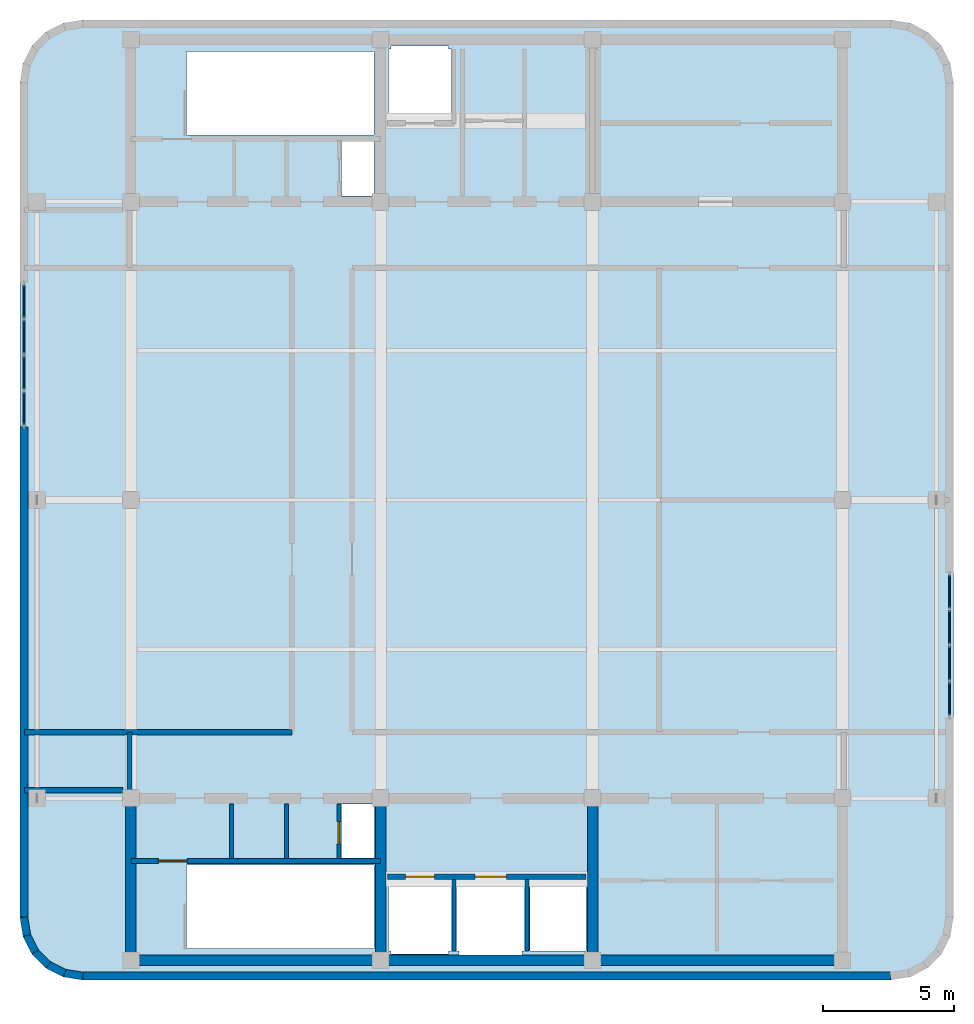
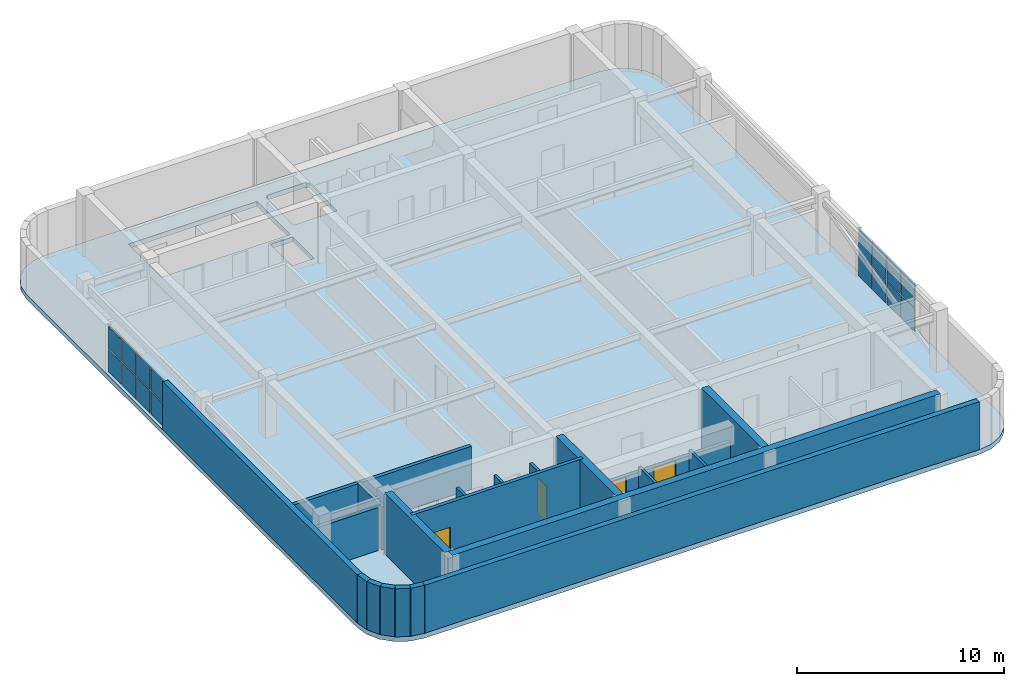
# One storey, part 4 of 9: 21 walls, 16 plates, 4 doors, 1 slab, 4 openings, 2 elements without a shape of their own.
"""IFC4 building model written with IfcOpenShell, lengths in metres."""

import ifcopenshell
import ifcopenshell.guid

model = None  # the IFC model being written
_history = None  # IfcOwnerHistory: only IFC2X3 demands one
_inside = {}  # id of a spatial element -> (the spatial element, [elements in it])
_under = {}  # id of a project, library or spatial element -> (it, [spatial elements below it])
_declared = {}  # id of a project -> (the project, [libraries it declares])
_typed = {}  # id of a type object -> (the type object, [elements of that type])
_made_of = {}  # id of a material, layer set ... -> (it, [elements and type objects made of it])


def new_model(schema):
    """Start an empty IFC model of exactly this schema.

    Asked for "IFC4X3", IfcOpenShell would pick the latest addendum, in which some entities
    have other attributes; the version numbers below select the first issue.
    IFC2X3 requires an IfcOwnerHistory on every rooted entity: one is made here for all.
    """
    global model, _history
    if schema == "IFC4X3":
        model = ifcopenshell.file(schema_version=(4, 3, 0, 0))
    else:
        model = ifcopenshell.file(schema=schema)
    _inside.clear()
    _under.clear()
    _declared.clear()
    _typed.clear()
    _made_of.clear()
    _history = None
    if model.schema == "IFC2X3":
        org = make("IfcOrganization", Name="unknown")
        user = make(
            "IfcPersonAndOrganization",
            ThePerson=make("IfcPerson", FamilyName="unknown"),
            TheOrganization=org,
        )
        app = make(
            "IfcApplication",
            ApplicationDeveloper=org,
            Version="unknown",
            ApplicationFullName="unknown",
            ApplicationIdentifier="unknown",
        )
        _history = make(
            "IfcOwnerHistory",
            OwningUser=user,
            OwningApplication=app,
            ChangeAction="ADDED",
            CreationDate=0,
        )
    return model


def make(cls, **values):
    """One entity of the class cls with the attributes given. An attribute that is None is left unset."""
    return model.create_entity(
        cls, **{name: value for name, value in values.items() if value is not None}
    )


def rooted(cls, **values):
    """An entity with a GlobalId (a new one), such as an element, a storey or a relation."""
    return make(cls, GlobalId=ifcopenshell.guid.new(), OwnerHistory=_history, **values)


def si_unit(unit_type, name, prefix=None):
    """IfcSIUnit, for example si_unit("LENGTHUNIT", "METRE", prefix="MILLI")."""
    return make("IfcSIUnit", UnitType=unit_type, Prefix=prefix, Name=name)


def assignment(units):
    """IfcUnitAssignment: the units of a project."""
    return None if units is None else make("IfcUnitAssignment", Units=units)


def point(xyz):
    """IfcCartesianPoint."""
    return None if xyz is None else make("IfcCartesianPoint", Coordinates=xyz)


def direction(xyz):
    """IfcDirection."""
    return None if xyz is None else make("IfcDirection", DirectionRatios=xyz)


def frame(location, z_axis=None, x_axis=None):
    """IfcAxis2Placement3D, a coordinate frame: its origin and axes. An axis left out is left unset."""
    return make(
        "IfcAxis2Placement3D",
        Location=point(location),
        Axis=direction(z_axis),
        RefDirection=direction(x_axis),
    )


def frame_2d(location, x_axis=None):
    """IfcAxis2Placement2D, a coordinate frame in the plane: its origin and x axis."""
    return make(
        "IfcAxis2Placement2D", Location=point(location), RefDirection=direction(x_axis)
    )


def origin():
    """The frame at (0, 0, 0) with its axes left unset."""
    return frame((0.0, 0.0, 0.0))


def origin_2d():
    """The frame at (0, 0) in the plane with its x axis left unset."""
    return frame_2d((0.0, 0.0))


def place(relative_to, where):
    """IfcLocalPlacement: puts the frame where relative to a parent placement (None: the world)."""
    return make(
        "IfcLocalPlacement", PlacementRelTo=relative_to, RelativePlacement=where
    )


def context(
    kind, dimensions, precision=None, world=None, true_north=None, identifier=None
):
    """IfcGeometricRepresentationContext, for example the 3D "Model" context."""
    return make(
        "IfcGeometricRepresentationContext",
        ContextIdentifier=identifier,
        ContextType=kind,
        CoordinateSpaceDimension=dimensions,
        Precision=precision,
        WorldCoordinateSystem=world,
        TrueNorth=true_north,
    )


def subcontext(parent, identifier, kind, view, scale=None):
    """IfcGeometricRepresentationSubContext, for example "Body" below "Model"."""
    return make(
        "IfcGeometricRepresentationSubContext",
        ContextIdentifier=identifier,
        ContextType=kind,
        ParentContext=parent,
        TargetScale=scale,
        TargetView=view,
    )


def project(units=None, contexts=None):
    """IfcProject with its units and contexts."""
    return rooted(
        "IfcProject",
        Name="project",
        RepresentationContexts=contexts,
        UnitsInContext=assignment(units),
    )


def spatial(cls, under=None, at=None, **own):
    """A site, building, storey or space (cls), placed at a placement, below another one or the project."""
    s = rooted(cls, ObjectPlacement=at, **own)
    if under is not None:
        _under.setdefault(under.id(), (under, []))[1].append(s)
    return s


def polyline(points):
    """IfcPolyline through the points."""
    return make("IfcPolyline", Points=[point(p) for p in points])


def profile(cls, at=None, kind="AREA", **sizes):
    """A parametric profile (cls). Its sizes go by their IFC names, for example OverallWidth=200.0."""
    return make(cls, ProfileType=kind, Position=at, **sizes)


def rectangle(**sizes):
    """IfcRectangleProfileDef."""
    return profile("IfcRectangleProfileDef", **sizes)


def outline(outer, holes=None, kind="AREA"):
    """IfcArbitraryClosedProfileDef: a profile drawn as a closed curve; with holes, ...WithVoids."""
    if holes is None:
        return make("IfcArbitraryClosedProfileDef", ProfileType=kind, OuterCurve=outer)
    return make(
        "IfcArbitraryProfileDefWithVoids",
        ProfileType=kind,
        OuterCurve=outer,
        InnerCurves=holes,
    )


def extrude(swept, where, along, depth):
    """IfcExtrudedAreaSolid: the profile swept, set in the frame where, extruded along a direction by depth."""
    return make(
        "IfcExtrudedAreaSolid",
        SweptArea=swept,
        Position=where,
        ExtrudedDirection=direction(along),
        Depth=depth,
    )


def shape(context_of_items, identifier, shape_type, items):
    """IfcShapeRepresentation: the items that make up one representation, for example the "Body"."""
    return make(
        "IfcShapeRepresentation",
        ContextOfItems=context_of_items,
        RepresentationIdentifier=identifier,
        RepresentationType=shape_type,
        Items=items,
    )


def material(Name=None, Category=None):
    """IfcMaterial."""
    return make("IfcMaterial", Name=Name, Category=Category)


def layer(
    of_material, thickness, ventilated=None, Name=None, Category=None, Priority=None
):
    """IfcMaterialLayer: one layer of a wall or slab, of a material (None: an air gap)."""
    return make(
        "IfcMaterialLayer",
        Material=of_material,
        LayerThickness=thickness,
        IsVentilated=ventilated,
        Name=Name,
        Category=Category,
        Priority=Priority,
    )


def layer_set(layers, Name=None):
    """IfcMaterialLayerSet."""
    return make("IfcMaterialLayerSet", MaterialLayers=layers, LayerSetName=Name)


def made_of(thing, what):
    """Note that an element or type object is made of a material, layer set ...; save() writes the relation."""
    if what is not None:
        _made_of.setdefault(what.id(), (what, []))[1].append(thing)
    return thing


def type_object(cls, material=None, **own):
    """A type object (cls), such as IfcWallType, which elements share."""
    return made_of(rooted(cls, **own), material)


def element(
    cls,
    number,
    at=None,
    inside=None,
    cuts=None,
    type_object=None,
    material=None,
    context=None,
    identifier="Body",
    shape_type=None,
    held_by="IfcProductDefinitionShape",
    body=None,
    shapes=None,
    **own,
):
    """One element of the class cls, such as IfcWall. Its Tag is "e" and its number.

    at: its placement. inside: the storey or other place that contains it. cuts: it is an
    opening in that element (IfcRelVoidsElement). A single representation is given by context,
    identifier, shape_type and body (its items); several are given by shapes. held_by: the class
    of the entity that holds the representations. save() writes the other relations.
    """
    e = rooted(cls, Tag="e%d" % number, ObjectPlacement=at, **own)
    if body is not None:
        shapes = [shape(context, identifier, shape_type, body)]
    if shapes is not None:
        e.Representation = make(held_by, Representations=shapes)
    if inside is not None:
        _inside.setdefault(inside.id(), (inside, []))[1].append(e)
    if cuts is not None:
        rooted(
            "IfcRelVoidsElement", RelatingBuildingElement=cuts, RelatedOpeningElement=e
        )
    if type_object is not None:
        _typed.setdefault(type_object.id(), (type_object, []))[1].append(e)
    return made_of(e, material)


def fill(opening, filler):
    """IfcRelFillsElement: the door or window that sits in an opening."""
    return rooted(
        "IfcRelFillsElement",
        RelatingOpeningElement=opening,
        RelatedBuildingElement=filler,
    )


def aggregate(whole, parts):
    """IfcRelAggregates: a whole, such as a stair, and the parts it consists of."""
    return rooted("IfcRelAggregates", RelatingObject=whole, RelatedObjects=parts)


def save(model, path):
    """Write the relations noted so far, then the file.

    IfcRelAggregates (storeys below a building ...), IfcRelContainedInSpatialStructure (elements
    in a storey), IfcRelDefinesByType, IfcRelAssociatesMaterial and IfcRelDeclares: one each for
    every whole, place, type object, material and project.
    """
    for whole, parts in _under.values():
        aggregate(whole, parts)
    for where, things in _inside.values():
        rooted(
            "IfcRelContainedInSpatialStructure",
            RelatedElements=things,
            RelatingStructure=where,
        )
    for kind, things in _typed.values():
        rooted("IfcRelDefinesByType", RelatedObjects=things, RelatingType=kind)
    for what, things in _made_of.values():
        rooted("IfcRelAssociatesMaterial", RelatedObjects=things, RelatingMaterial=what)
    for by, libraries in _declared.values():
        rooted("IfcRelDeclares", RelatingContext=by, RelatedDefinitions=libraries)
    model.write(path)


model = new_model("IFC4")

# Units and contexts
model_context = context("Model", 3, precision=1e-05, world=origin(), true_north=direction((0.0, 1.0)))
body_context = subcontext(model_context, "Body", "Model", "MODEL_VIEW")
ifc_project = project(units=[si_unit("LENGTHUNIT", "METRE"), si_unit("AREAUNIT", "SQUARE_METRE"), si_unit("VOLUMEUNIT", "CUBIC_METRE"), si_unit("PLANEANGLEUNIT", "RADIAN"), si_unit("MASSUNIT", "GRAM", prefix="KILO")], contexts=[model_context])

# Site, building, storey
site_placement = place(None, origin())
site = spatial("IfcSite", under=ifc_project, at=site_placement, CompositionType="ELEMENT")
building_placement = place(site_placement, origin())
building = spatial("IfcBuilding", under=site, at=building_placement, Name="Svetorya Sky Lyceum", CompositionType="ELEMENT")
storey_placement = place(building_placement, frame((0.0, 0.0, 320.0)))
storey = spatial("IfcBuildingStorey", under=building, at=storey_placement, Name="C06", CompositionType="ELEMENT", Elevation=320.0)

# Curtain wall, plates
ifc_material_1 = material(Name="Thermally broken anodized aluminium and triple low-E glass", Category="aluminium")
curtain_wall_type = type_object("IfcCurtainWallType", Name="CW5-LVR-PLT", PredefinedType="NOTDEFINED", material=ifc_material_1)
curtain_wall_1_placement = place(storey_placement, origin())
curtain_wall_1 = element("IfcCurtainWall", 1, at=curtain_wall_1_placement, inside=storey, type_object=curtain_wall_type, Name="C06 Acoustic Plant Louvre Curtain Wall 12", PredefinedType="NOTDEFINED")
ifc_material_2 = material(Name="Powder-coated extruded aluminium acoustic louvre blade", Category="aluminium")
ifc_layer_1 = layer(ifc_material_2, 0.06494140625)
ifc_layer_set_1 = layer_set([ifc_layer_1], Name="Powder-coated extruded aluminium acoustic louvre blade")
plate_type = type_object("IfcPlateType", Name="CWP-LVR-65", PredefinedType="SHEET", material=ifc_layer_set_1)
plate_1_placement = place(storey_placement, frame((56.889892578125, 20.603759765625, 0.0634765625), z_axis=(0.0, 0.0, 1.0), x_axis=(0.0, 1.0, 0.0)))
plate_1 = element("IfcPlate", 2, at=plate_1_placement, type_object=plate_type, Name="CW-5 panel 1.1", PredefinedType="SHEET", context=body_context, shape_type="SweptSolid", body=[
    extrude(rectangle(XDim=1.280517578125, YDim=0.06494140625, at=origin_2d()), origin(), (0.0, 0.0, 1.0), 1.320556640625),
])
plate_2_placement = place(storey_placement, frame((56.889892578125, 20.603759765625, 1.44580078125), z_axis=(0.0, 0.0, 1.0), x_axis=(0.0, 1.0, 0.0)))
plate_2 = element("IfcPlate", 3, at=plate_2_placement, type_object=plate_type, Name="CW-5 panel 1.2", PredefinedType="SHEET", context=body_context, shape_type="SweptSolid", body=[
    extrude(rectangle(XDim=1.280517578125, YDim=0.06494140625, at=origin_2d()), origin(), (0.0, 0.0, 1.0), 1.320556640625),
])
plate_3_placement = place(storey_placement, frame((56.889892578125, 21.96240234375, 0.0634765625), z_axis=(0.0, 0.0, 1.0), x_axis=(0.0, 1.0, 0.0)))
plate_3 = element("IfcPlate", 4, at=plate_3_placement, type_object=plate_type, Name="CW-5 panel 2.1", PredefinedType="SHEET", context=body_context, shape_type="SweptSolid", body=[
    extrude(rectangle(XDim=1.31298828125, YDim=0.06494140625, at=origin_2d()), origin(), (0.0, 0.0, 1.0), 1.320556640625),
])
plate_4_placement = place(storey_placement, frame((56.889892578125, 21.96240234375, 1.44580078125), z_axis=(0.0, 0.0, 1.0), x_axis=(0.0, 1.0, 0.0)))
plate_4 = element("IfcPlate", 5, at=plate_4_placement, type_object=plate_type, Name="CW-5 panel 2.2", PredefinedType="SHEET", context=body_context, shape_type="SweptSolid", body=[
    extrude(rectangle(XDim=1.31298828125, YDim=0.06494140625, at=origin_2d()), origin(), (0.0, 0.0, 1.0), 1.320556640625),
])
plate_5_placement = place(storey_placement, frame((56.889892578125, 23.33740234375, 0.0634765625), z_axis=(0.0, 0.0, 1.0), x_axis=(0.0, 1.0, 0.0)))
plate_5 = element("IfcPlate", 6, at=plate_5_placement, type_object=plate_type, Name="CW-5 panel 3.1", PredefinedType="SHEET", context=body_context, shape_type="SweptSolid", body=[
    extrude(rectangle(XDim=1.31298828125, YDim=0.06494140625, at=origin_2d()), origin(), (0.0, 0.0, 1.0), 1.320556640625),
])
plate_6_placement = place(storey_placement, frame((56.889892578125, 23.33740234375, 1.44580078125), z_axis=(0.0, 0.0, 1.0), x_axis=(0.0, 1.0, 0.0)))
plate_6 = element("IfcPlate", 7, at=plate_6_placement, type_object=plate_type, Name="CW-5 panel 3.2", PredefinedType="SHEET", context=body_context, shape_type="SweptSolid", body=[
    extrude(rectangle(XDim=1.31298828125, YDim=0.06494140625, at=origin_2d()), origin(), (0.0, 0.0, 1.0), 1.320556640625),
])
plate_7_placement = place(storey_placement, frame((56.889892578125, 24.6962890625, 0.0634765625), z_axis=(0.0, 0.0, 1.0), x_axis=(0.0, 1.0, 0.0)))
plate_7 = element("IfcPlate", 8, at=plate_7_placement, type_object=plate_type, Name="CW-5 panel 4.1", PredefinedType="SHEET", context=body_context, shape_type="SweptSolid", body=[
    extrude(rectangle(XDim=1.280517578125, YDim=0.06494140625, at=origin_2d()), origin(), (0.0, 0.0, 1.0), 1.320556640625),
])
plate_8_placement = place(storey_placement, frame((56.889892578125, 24.6962890625, 1.44580078125), z_axis=(0.0, 0.0, 1.0), x_axis=(0.0, 1.0, 0.0)))
plate_8 = element("IfcPlate", 9, at=plate_8_placement, type_object=plate_type, Name="CW-5 panel 4.2", PredefinedType="SHEET", context=body_context, shape_type="SweptSolid", body=[
    extrude(rectangle(XDim=1.280517578125, YDim=0.06494140625, at=origin_2d()), origin(), (0.0, 0.0, 1.0), 1.320556640625),
])
aggregate(curtain_wall_1, [plate_1, plate_2, plate_3, plate_4, plate_5, plate_6, plate_7, plate_8])

curtain_wall_2_placement = place(storey_placement, origin())
curtain_wall_2 = element("IfcCurtainWall", 10, at=curtain_wall_2_placement, inside=storey, type_object=curtain_wall_type, Name="C06 Acoustic Plant Louvre Curtain Wall 24", PredefinedType="NOTDEFINED")
plate_9_placement = place(storey_placement, frame((21.510009765625, 35.796142578125, 0.0634765625), z_axis=(0.0, 0.0, 1.0), x_axis=(0.0, -1.0, 0.0)))
plate_9 = element("IfcPlate", 11, at=plate_9_placement, type_object=plate_type, Name="CW-5 panel 1.1", PredefinedType="SHEET", context=body_context, shape_type="SweptSolid", body=[
    extrude(rectangle(XDim=1.280517578125, YDim=0.06494140625, at=origin_2d()), origin(), (0.0, 0.0, 1.0), 1.320556640625),
])
plate_10_placement = place(storey_placement, frame((21.510009765625, 35.796142578125, 1.44580078125), z_axis=(0.0, 0.0, 1.0), x_axis=(0.0, -1.0, 0.0)))
plate_10 = element("IfcPlate", 12, at=plate_10_placement, type_object=plate_type, Name="CW-5 panel 1.2", PredefinedType="SHEET", context=body_context, shape_type="SweptSolid", body=[
    extrude(rectangle(XDim=1.280517578125, YDim=0.06494140625, at=origin_2d()), origin(), (0.0, 0.0, 1.0), 1.320556640625),
])
plate_11_placement = place(storey_placement, frame((21.510009765625, 34.4375, 0.0634765625), z_axis=(0.0, 0.0, 1.0), x_axis=(0.0, -1.0, 0.0)))
plate_11 = element("IfcPlate", 13, at=plate_11_placement, type_object=plate_type, Name="CW-5 panel 2.1", PredefinedType="SHEET", context=body_context, shape_type="SweptSolid", body=[
    extrude(rectangle(XDim=1.31298828125, YDim=0.06494140625, at=origin_2d()), origin(), (0.0, 0.0, 1.0), 1.320556640625),
])
plate_12_placement = place(storey_placement, frame((21.510009765625, 34.4375, 1.44580078125), z_axis=(0.0, 0.0, 1.0), x_axis=(0.0, -1.0, 0.0)))
plate_12 = element("IfcPlate", 14, at=plate_12_placement, type_object=plate_type, Name="CW-5 panel 2.2", PredefinedType="SHEET", context=body_context, shape_type="SweptSolid", body=[
    extrude(rectangle(XDim=1.31298828125, YDim=0.06494140625, at=origin_2d()), origin(), (0.0, 0.0, 1.0), 1.320556640625),
])
plate_13_placement = place(storey_placement, frame((21.510009765625, 33.0625, 0.0634765625), z_axis=(0.0, 0.0, 1.0), x_axis=(0.0, -1.0, 0.0)))
plate_13 = element("IfcPlate", 15, at=plate_13_placement, type_object=plate_type, Name="CW-5 panel 3.1", PredefinedType="SHEET", context=body_context, shape_type="SweptSolid", body=[
    extrude(rectangle(XDim=1.31298828125, YDim=0.06494140625, at=origin_2d()), origin(), (0.0, 0.0, 1.0), 1.320556640625),
])
plate_14_placement = place(storey_placement, frame((21.510009765625, 33.0625, 1.44580078125), z_axis=(0.0, 0.0, 1.0), x_axis=(0.0, -1.0, 0.0)))
plate_14 = element("IfcPlate", 16, at=plate_14_placement, type_object=plate_type, Name="CW-5 panel 3.2", PredefinedType="SHEET", context=body_context, shape_type="SweptSolid", body=[
    extrude(rectangle(XDim=1.31298828125, YDim=0.06494140625, at=origin_2d()), origin(), (0.0, 0.0, 1.0), 1.320556640625),
])
plate_15_placement = place(storey_placement, frame((21.510009765625, 31.703857421875, 0.0634765625), z_axis=(0.0, 0.0, 1.0), x_axis=(0.0, -1.0, 0.0)))
plate_15 = element("IfcPlate", 17, at=plate_15_placement, type_object=plate_type, Name="CW-5 panel 4.1", PredefinedType="SHEET", context=body_context, shape_type="SweptSolid", body=[
    extrude(rectangle(XDim=1.280517578125, YDim=0.06494140625, at=origin_2d()), origin(), (0.0, 0.0, 1.0), 1.320556640625),
])
plate_16_placement = place(storey_placement, frame((21.510009765625, 31.703857421875, 1.44580078125), z_axis=(0.0, 0.0, 1.0), x_axis=(0.0, -1.0, 0.0)))
plate_16 = element("IfcPlate", 18, at=plate_16_placement, type_object=plate_type, Name="CW-5 panel 4.2", PredefinedType="SHEET", context=body_context, shape_type="SweptSolid", body=[
    extrude(rectangle(XDim=1.280517578125, YDim=0.06494140625, at=origin_2d()), origin(), (0.0, 0.0, 1.0), 1.320556640625),
])
aggregate(curtain_wall_2, [plate_9, plate_10, plate_11, plate_12, plate_13, plate_14, plate_15, plate_16])

# Slab
ifc_material_3 = material(Name="Concrete C50/60", Category="concrete")
ifc_layer_2 = layer(ifc_material_3, 0.280029296875)
ifc_layer_set_2 = layer_set([ifc_layer_2], Name="Concrete C50/60")
slab_type = type_object("IfcSlabType", Name="SL-TWR-280", PredefinedType="FLOOR", material=ifc_layer_set_2)
slab_placement = place(storey_placement, frame((0.0, 0.0, -0.280029296875)))
element("IfcSlab", 19, at=slab_placement, inside=storey, type_object=slab_type, Name="C06 Structural Floor Slab", PredefinedType="FLOOR", context=body_context, shape_type="SweptSolid", body=[
    extrude(outline(polyline([(21.360107421875, 12.25), (21.4775390625, 11.50830078125), (21.818359375, 10.83935546875), (22.349365234375, 10.308349609375), (23.018310546875, 9.967529296875), (23.760009765625, 9.85009765625), (54.639892578125, 9.85009765625), (55.381591796875, 9.967529296875), (56.05078125, 10.308349609375), (56.58154296875, 10.83935546875), (56.922607421875, 11.50830078125), (57.0400390625, 12.25), (57.0400390625, 44.14990234375), (56.922607421875, 44.8916015625), (56.58154296875, 45.560791015625), (56.05078125, 46.091552734375), (55.381591796875, 46.4326171875), (54.639892578125, 46.550048828125), (23.760009765625, 46.550048828125), (23.018310546875, 46.4326171875), (22.349365234375, 46.091552734375), (21.818359375, 45.560791015625), (21.4775390625, 44.8916015625), (21.360107421875, 44.14990234375), (21.360107421875, 12.25)]), holes=[polyline([(37.75, 10.85009765625), (35.550048828125, 10.85009765625), (35.550048828125, 10.949951171875), (35.449951171875, 10.949951171875), (35.449951171875, 13.64990234375), (35.550048828125, 13.64990234375), (37.75, 13.64990234375), (37.85009765625, 13.64990234375), (37.85009765625, 10.949951171875), (37.75, 10.949951171875), (37.75, 10.85009765625)]), polyline([(34.89990234375, 11.050048828125), (27.719970703125, 11.050048828125), (27.719970703125, 14.25), (34.89990234375, 14.25), (34.89990234375, 11.050048828125)]), polyline([(34.89990234375, 14.52001953125), (33.64990234375, 14.52001953125), (33.64990234375, 16.580078125), (34.89990234375, 16.580078125), (34.89990234375, 14.52001953125)]), polyline([(33.64990234375, 39.820068359375), (33.64990234375, 41.89990234375), (34.89990234375, 41.89990234375), (34.89990234375, 39.820068359375), (33.64990234375, 39.820068359375)]), polyline([(27.719970703125, 42.14990234375), (27.719970703125, 45.35009765625), (34.89990234375, 45.35009765625), (34.89990234375, 42.14990234375), (27.719970703125, 42.14990234375)]), polyline([(37.75, 45.449951171875), (37.85009765625, 45.449951171875), (37.85009765625, 42.75), (37.75, 42.75), (35.550048828125, 42.75), (35.449951171875, 42.75), (35.449951171875, 45.449951171875), (35.550048828125, 45.449951171875), (35.550048828125, 45.550048828125), (37.75, 45.550048828125), (37.75, 45.449951171875)]), polyline([(40.64990234375, 13.64990234375), (40.64990234375, 10.949951171875), (40.550048828125, 10.949951171875), (40.550048828125, 10.800048828125), (38.14990234375, 10.800048828125), (38.14990234375, 10.949951171875), (38.050048828125, 10.949951171875), (38.050048828125, 13.64990234375), (38.14990234375, 13.64990234375), (38.14990234375, 13.699951171875), (40.550048828125, 13.699951171875), (40.550048828125, 13.64990234375), (40.64990234375, 13.64990234375)]), polyline([(40.85009765625, 10.949951171875), (40.85009765625, 13.64990234375), (43.0, 13.64990234375), (43.0, 10.949951171875), (40.85009765625, 10.949951171875)])]), origin(), (0.0, 0.0, 1.0), 0.280029296875),
])

# Walls
ifc_material_4 = material(Name="Concrete C40/50", Category="concrete")
ifc_layer_3 = layer(ifc_material_4, 0.39990234375)
ifc_layer_set_3 = layer_set([ifc_layer_3], Name="Concrete C40/50")
wall_type_1 = type_object("IfcWallType", Name="WL-CORE-400", PredefinedType="SHEAR", material=ifc_layer_set_3)
wall_1_placement = place(storey_placement, frame((52.800048828125, 10.60009765625, 0.0), z_axis=(0.0, 0.0, 1.0), x_axis=(-1.0, 0.0, 0.0)))
element("IfcWall", 20, at=wall_1_placement, inside=storey, type_object=wall_type_1, Name="C06 SC Outer Core Shear Wall", PredefinedType="SHEAR", context=body_context, shape_type="SweptSolid", body=[
    extrude(rectangle(XDim=27.199951171875, YDim=0.39990234375, at=frame_2d((13.60009765625, 0.0))), origin(), (0.0, 0.0, 1.0), 3.60009765625),
])
for number, where, z_axis, x_axis, name in (
    (21, (25.60009765625, 10.800048828125, 0.0), (0.0, 0.0, 1.0), (0.0, 1.0, 0.0), "C06 SC West Core Shear Wall"),
    (22, (35.14990234375, 10.800048828125, 0.0), (0.0, 0.0, 1.0), (0.0, 1.0, 0.0), "C06 SC Internal Shear Web WEB1"),
    (23, (43.25, 10.800048828125, 0.0), (0.0, 0.0, 1.0), (0.0, 1.0, 0.0), "C06 SC Internal Shear Web WEB2"),
):
    element("IfcWall", number, at=place(storey_placement, frame(where, z_axis=z_axis, x_axis=x_axis)), inside=storey, type_object=wall_type_1, Name=name, PredefinedType="SHEAR", context=body_context, shape_type="SweptSolid", body=[
        extrude(rectangle(XDim=5.800048828125, YDim=0.39990234375, at=frame_2d((2.89990234375, 0.0))), origin(), (0.0, 0.0, 1.0), 3.60009765625),
    ])
ifc_material_5 = material(Name="Putilovo limestone rainscreen on autoclaved cellular masonry", Category="masonry")
ifc_layer_4 = layer(ifc_material_5, 0.300048828125)
ifc_layer_set_4 = layer_set([ifc_layer_4], Name="Putilovo limestone rainscreen on autoclaved cellular masonry")
wall_type_2 = type_object("IfcWallType", Name="WL-EXT-300", PredefinedType="SOLIDWALL", material=ifc_layer_set_4)
for number, where, z_axis, x_axis, name in (
    (24, (21.510009765625, 12.25, 0.0), (0.0, 0.0, 1.0), (0.156407776626, -0.987692567255, 0.0), "C06 Limestone Exterior Wall 1M"),
    (25, (21.6201171875, 11.5546875, 0.0), (0.0, 0.0, 1.0), (0.453998517824, -0.891002438725, 0.0), "C06 Limestone Exterior Wall 2M"),
):
    element("IfcWall", number, at=place(storey_placement, frame(where, z_axis=z_axis, x_axis=x_axis)), inside=storey, type_object=wall_type_2, Name=name, PredefinedType="SOLIDWALL", context=body_context, shape_type="SweptSolid", body=[
        extrude(rectangle(XDim=0.703857421875, YDim=0.300048828125, at=frame_2d((0.35205078125, 0.0))), origin(), (0.0, 0.0, 1.0), 2.830078125),
    ])
wall_2_placement = place(storey_placement, frame((21.939697265625, 10.927490234375, 0.0), z_axis=(0.0, 0.0, 1.0), x_axis=(0.707106781187, -0.707106781187, 0.0)))
element("IfcWall", 26, at=wall_2_placement, inside=storey, type_object=wall_type_2, Name="C06 Limestone Exterior Wall 3M", PredefinedType="SOLIDWALL", context=body_context, shape_type="SweptSolid", body=[
    extrude(rectangle(XDim=0.7041015625, YDim=0.300048828125, at=frame_2d((0.35205078125, 0.0))), origin(), (0.0, 0.0, 1.0), 2.830078125),
])
for number, where, z_axis, x_axis, name in (
    (27, (22.4375, 10.4296875, 0.0), (0.0, 0.0, 1.0), (0.891002438725, -0.453998517824, 0.0), "C06 Limestone Exterior Wall 4M"),
    (28, (23.064697265625, 10.110107421875, 0.0), (0.0, 0.0, 1.0), (0.987692567255, -0.156407776626, 0.0), "C06 Limestone Exterior Wall 5M"),
):
    element("IfcWall", number, at=place(storey_placement, frame(where, z_axis=z_axis, x_axis=x_axis)), inside=storey, type_object=wall_type_2, Name=name, PredefinedType="SOLIDWALL", context=body_context, shape_type="SweptSolid", body=[
        extrude(rectangle(XDim=0.703857421875, YDim=0.300048828125, at=frame_2d((0.35205078125, 0.0))), origin(), (0.0, 0.0, 1.0), 2.830078125),
    ])
wall_3_placement = place(storey_placement, frame((23.760009765625, 10.0, 0.0), z_axis=(0.0, 0.0, 1.0), x_axis=(1.0, 0.0, 0.0)))
element("IfcWall", 29, at=wall_3_placement, inside=storey, type_object=wall_type_2, Name="C06 Limestone Exterior Wall 6M", PredefinedType="SOLIDWALL", context=body_context, shape_type="SweptSolid", body=[
    extrude(rectangle(XDim=30.8798828125, YDim=0.300048828125, at=frame_2d((15.43994140625, 0.0))), origin(), (0.0, 0.0, 1.0), 2.830078125),
])
wall_4_placement = place(storey_placement, frame((21.510009765625, 31.0, 0.0), z_axis=(0.0, 0.0, 1.0), x_axis=(0.0, -1.0, 0.0)))
element("IfcWall", 30, at=wall_4_placement, inside=storey, type_object=wall_type_2, Name="C06 Limestone Exterior Wall 24B", PredefinedType="SOLIDWALL", context=body_context, shape_type="SweptSolid", body=[
    extrude(rectangle(XDim=18.75, YDim=0.300048828125, at=frame_2d((9.375, 0.0))), origin(), (0.0, 0.0, 1.0), 2.830078125),
])
ifc_material_6 = material(Name="Autoclaved cellular masonry blockwork with acoustic render", Category="masonry")
ifc_layer_5 = layer(ifc_material_6, 0.14990234375)
ifc_layer_set_5 = layer_set([ifc_layer_5], Name="Autoclaved cellular masonry blockwork with acoustic render")
wall_type_3 = type_object("IfcWallType", Name="WL-PART-150", PredefinedType="PARTITIONING", material=ifc_layer_set_5)
for number, where, z_axis, x_axis, name in (
    (31, (29.449951171875, 14.5, 0.0), (0.0, 0.0, 1.0), (0.0, 1.0, 0.0), "C06 Interior Partition SC-SWD1"),
    (32, (31.550048828125, 14.5, 0.0), (0.0, 0.0, 1.0), (0.0, 1.0, 0.0), "C06 Interior Partition SC-SWD2"),
):
    element("IfcWall", number, at=place(storey_placement, frame(where, z_axis=z_axis, x_axis=x_axis)), inside=storey, type_object=wall_type_3, Name=name, PredefinedType="PARTITIONING", context=body_context, shape_type="SweptSolid", body=[
        extrude(rectangle(XDim=2.080078125, YDim=0.14990234375, at=frame_2d((1.0400390625, 0.0))), origin(), (0.0, 0.0, 1.0), 2.530029296875),
    ])

# Wall, opening, door
wall_5_placement = place(storey_placement, frame((33.550048828125, 14.5, 0.0), z_axis=(0.0, 0.0, 1.0), x_axis=(0.0, 1.0, 0.0)))
wall_5 = element("IfcWall", 33, at=wall_5_placement, inside=storey, type_object=wall_type_3, Name="C06 Interior Partition SC-SWD3", PredefinedType="PARTITIONING", context=body_context, shape_type="SweptSolid", body=[
    extrude(rectangle(XDim=2.080078125, YDim=0.14990234375, at=frame_2d((1.0400390625, 0.0))), origin(), (0.0, 0.0, 1.0), 2.530029296875),
])
opening_1_placement = place(wall_5_placement, frame((0.550048828125, 0.0, 0.0)))
opening_1 = element("IfcOpeningElement", 34, at=opening_1_placement, cuts=wall_5, Name="Opening D-SH1", PredefinedType="OPENING", context=body_context, shape_type="SweptSolid", body=[
    extrude(rectangle(XDim=0.85009765625, YDim=2.050048828125, at=frame_2d((0.425048828125, 1.02490234375))), frame((0.0, 0.0849609375, 0.0), z_axis=(0.0, -1.0, 0.0), x_axis=(1.0, 0.0, 0.0)), (0.0, 0.0, 1.0), 0.169921875),
])
ifc_material_7 = material(Name="Insulated galvanized riser inspection fire door")
door_type_1 = type_object("IfcDoorType", Name="DR-SHFT-850", OperationType="SINGLE_SWING_LEFT", PredefinedType="TRAPDOOR", material=ifc_material_7)
door_1_placement = place(opening_1_placement, origin())
door_1 = element("IfcDoor", 35, at=door_1_placement, inside=storey, type_object=door_type_1, Name="C06 South Riser Access Door", OperationType="SINGLE_SWING_RIGHT", OverallHeight=2.050048828125, OverallWidth=0.85009765625, PredefinedType="TRAPDOOR", context=body_context, shape_type="SweptSolid", body=[
    extrude(rectangle(XDim=0.85009765625, YDim=2.050048828125, at=frame_2d((0.425048828125, 1.02490234375))), frame((0.0, 0.02490234375, 0.0), z_axis=(0.0, -1.0, 0.0), x_axis=(1.0, 0.0, 0.0)), (0.0, 0.0, 1.0), 0.050048828125),
])
fill(opening_1, door_1)

# Walls
for number, where, z_axis, x_axis, name in (
    (36, (37.949951171875, 10.949951171875, 0.0), (0.0, 0.0, 1.0), (0.0, 1.0, 0.0), "C06 Interior Partition SC-SHD1"),
    (37, (40.75, 10.949951171875, 0.0), (0.0, 0.0, 1.0), (0.0, 1.0, 0.0), "C06 Interior Partition SC-SHD2"),
):
    element("IfcWall", number, at=place(storey_placement, frame(where, z_axis=z_axis, x_axis=x_axis)), inside=storey, type_object=wall_type_3, Name=name, PredefinedType="PARTITIONING", context=body_context, shape_type="SweptSolid", body=[
        extrude(rectangle(XDim=2.75, YDim=0.14990234375, at=frame_2d((1.375, 0.0))), origin(), (0.0, 0.0, 1.0), 2.530029296875),
    ])

# Wall, openings, doors
ifc_material_8 = material(Name="Autoclaved cellular masonry blockwork with gypsum plaster", Category="masonry")
ifc_layer_6 = layer(ifc_material_8, 0.199951171875)
ifc_layer_set_6 = layer_set([ifc_layer_6], Name="Autoclaved cellular masonry blockwork with gypsum plaster")
wall_type_4 = type_object("IfcWallType", Name="WL-PART-200", PredefinedType="PARTITIONING", material=ifc_layer_set_6)
wall_6_placement = place(storey_placement, frame((35.39990234375, 13.800048828125, 0.0), z_axis=(0.0, 0.0, 1.0), x_axis=(1.0, 0.0, 0.0)))
wall_6 = element("IfcWall", 38, at=wall_6_placement, inside=storey, type_object=wall_type_4, Name="C06 Interior Partition SC-FLW", PredefinedType="PARTITIONING", context=body_context, shape_type="SweptSolid", body=[
    extrude(rectangle(XDim=7.60009765625, YDim=0.199951171875, at=frame_2d((3.800048828125, 0.0))), origin(), (0.0, 0.0, 1.0), 2.18994140625),
])
opening_2_placement = place(wall_6_placement, frame((0.699951171875, 0.0, 0.0)))
opening_2 = element("IfcOpeningElement", 39, at=opening_2_placement, cuts=wall_6, Name="Opening LD-FL", PredefinedType="OPENING", context=body_context, shape_type="SweptSolid", body=[
    extrude(rectangle(XDim=1.10009765625, YDim=2.14990234375, at=frame_2d((0.550048828125, 1.074951171875))), frame((0.0, 0.10986328125, 0.0), z_axis=(0.0, -1.0, 0.0), x_axis=(1.0, 0.0, 0.0)), (0.0, 0.0, 1.0), 0.219970703125),
])
opening_3_placement = place(wall_6_placement, frame((3.35009765625, 0.0, 0.0)))
opening_3 = element("IfcOpeningElement", 40, at=opening_3_placement, cuts=wall_6, Name="Opening LD-SV", PredefinedType="OPENING", context=body_context, shape_type="SweptSolid", body=[
    extrude(rectangle(XDim=1.199951171875, YDim=2.14990234375, at=frame_2d((0.60009765625, 1.074951171875))), frame((0.0, 0.10986328125, 0.0), z_axis=(0.0, -1.0, 0.0), x_axis=(1.0, 0.0, 0.0)), (0.0, 0.0, 1.0), 0.219970703125),
])
ifc_material_9 = material(Name="Fire-rated stainless AISI 304 firefighting lift landing door")
door_type_2 = type_object("IfcDoorType", Name="DR-LIFT-1100", OperationType="SLIDING_TO_LEFT", PredefinedType="DOOR", material=ifc_material_9)
door_2_placement = place(opening_2_placement, origin())
door_2 = element("IfcDoor", 41, at=door_2_placement, inside=storey, type_object=door_type_2, Name="C06 Firefighting Lift FL2 Landing Door", OperationType="SLIDING_TO_LEFT", OverallHeight=2.14990234375, OverallWidth=1.10009765625, PredefinedType="DOOR", context=body_context, shape_type="SweptSolid", body=[
    extrude(rectangle(XDim=1.10009765625, YDim=2.14990234375, at=frame_2d((0.550048828125, 1.074951171875))), frame((0.0, 0.02490234375, 0.0), z_axis=(0.0, -1.0, 0.0), x_axis=(1.0, 0.0, 0.0)), (0.0, 0.0, 1.0), 0.050048828125),
])
fill(opening_2, door_2)
ifc_material_10 = material(Name="Brushed stainless AISI 304 telescopic lift landing door")
door_type_3 = type_object("IfcDoorType", Name="DR-LIFT-1200", OperationType="SLIDING_TO_LEFT", PredefinedType="DOOR", material=ifc_material_10)
door_3_placement = place(opening_3_placement, origin())
door_3 = element("IfcDoor", 42, at=door_3_placement, inside=storey, type_object=door_type_3, Name="C06 Service Lift SVL1 Landing Door", OperationType="SLIDING_TO_LEFT", OverallHeight=2.14990234375, OverallWidth=1.199951171875, PredefinedType="DOOR", context=body_context, shape_type="SweptSolid", body=[
    extrude(rectangle(XDim=1.199951171875, YDim=2.14990234375, at=frame_2d((0.60009765625, 1.074951171875))), frame((0.0, 0.02490234375, 0.0), z_axis=(0.0, -1.0, 0.0), x_axis=(1.0, 0.0, 0.0)), (0.0, 0.0, 1.0), 0.050048828125),
])
fill(opening_3, door_3)

# Walls
wall_7_placement = place(storey_placement, frame((21.530029296875, 19.320068359375, 0.0), z_axis=(0.0, 0.0, 1.0), x_axis=(1.0, 0.0, 0.0)))
element("IfcWall", 43, at=wall_7_placement, inside=storey, type_object=wall_type_4, Name="C06 Interior Partition PL-SW", PredefinedType="PARTITIONING", context=body_context, shape_type="SweptSolid", body=[
    extrude(rectangle(XDim=10.219970703125, YDim=0.199951171875, at=frame_2d((5.10986328125, 0.0))), origin(), (0.0, 0.0, 1.0), 2.530029296875),
])
wall_8_placement = place(storey_placement, frame((25.550048828125, 16.949951171875, 0.0), z_axis=(0.0, 0.0, 1.0), x_axis=(0.0, 1.0, 0.0)))
element("IfcWall", 44, at=wall_8_placement, inside=storey, type_object=wall_type_4, Name="C06 Interior Partition PL-SW-END", PredefinedType="PARTITIONING", context=body_context, shape_type="SweptSolid", body=[
    extrude(rectangle(XDim=2.3701171875, YDim=0.199951171875, at=frame_2d((1.18505859375, 0.0))), origin(), (0.0, 0.0, 1.0), 2.530029296875),
])
wall_9_placement = place(storey_placement, frame((21.530029296875, 17.10009765625, 0.0), z_axis=(0.0, 0.0, 1.0), x_axis=(1.0, 0.0, 0.0)))
element("IfcWall", 45, at=wall_9_placement, inside=storey, type_object=wall_type_4, Name="C06 Interior Partition PL-WS-CAP", PredefinedType="PARTITIONING", context=body_context, shape_type="SweptSolid", body=[
    extrude(rectangle(XDim=3.77001953125, YDim=0.199951171875, at=frame_2d((1.885009765625, 0.0))), origin(), (0.0, 0.0, 1.0), 2.530029296875),
])

# Wall, opening, door
ifc_layer_7 = layer(ifc_material_3, 0.199951171875)
ifc_layer_set_7 = layer_set([ifc_layer_7], Name="Concrete C50/60")
wall_type_5 = type_object("IfcWallType", Name="WL-SHW-200", PredefinedType="SHEAR", material=ifc_layer_set_7)
wall_10_placement = place(storey_placement, frame((25.60009765625, 14.39990234375, 0.0), z_axis=(0.0, 0.0, 1.0), x_axis=(1.0, 0.0, 0.0)))
wall_10 = element("IfcWall", 46, at=wall_10_placement, inside=storey, type_object=wall_type_5, Name="C06 Structural Stair Shaft Wall SC-STW", PredefinedType="SHEAR", context=body_context, shape_type="SweptSolid", body=[
    extrude(rectangle(XDim=9.5498046875, YDim=0.199951171875, at=frame_2d((4.77490234375, 0.0))), origin(), (0.0, 0.0, 1.0), 3.60009765625),
])
opening_4_placement = place(wall_10_placement, frame((1.050048828125, 0.0, 0.0)))
opening_4 = element("IfcOpeningElement", 47, at=opening_4_placement, cuts=wall_10, Name="Opening D-ST1", PredefinedType="OPENING", context=body_context, shape_type="SweptSolid", body=[
    extrude(rectangle(XDim=1.10009765625, YDim=2.14990234375, at=frame_2d((0.550048828125, 1.074951171875))), frame((0.0, 0.10986328125, 0.0), z_axis=(0.0, -1.0, 0.0), x_axis=(1.0, 0.0, 0.0)), (0.0, 0.0, 1.0), 0.219970703125),
])
ifc_material_11 = material(Name="Powder-coated insulated galvanized stair fire door")
door_type_4 = type_object("IfcDoorType", Name="DR-FIRE-1100", OperationType="SINGLE_SWING_LEFT", PredefinedType="DOOR", material=ifc_material_11)
door_4_placement = place(opening_4_placement, origin())
door_4 = element("IfcDoor", 48, at=door_4_placement, inside=storey, type_object=door_type_4, Name="C06 Stair ST-S Vestibule Fire Door", OperationType="SINGLE_SWING_LEFT", OverallHeight=2.14990234375, OverallWidth=1.10009765625, PredefinedType="DOOR", context=body_context, shape_type="SweptSolid", body=[
    extrude(rectangle(XDim=1.10009765625, YDim=2.14990234375, at=frame_2d((0.550048828125, 1.074951171875))), frame((0.0, 0.02490234375, 0.0), z_axis=(0.0, -1.0, 0.0), x_axis=(1.0, 0.0, 0.0)), (0.0, 0.0, 1.0), 0.050048828125),
])
fill(opening_4, door_4)

save(model, "model.ifc")
